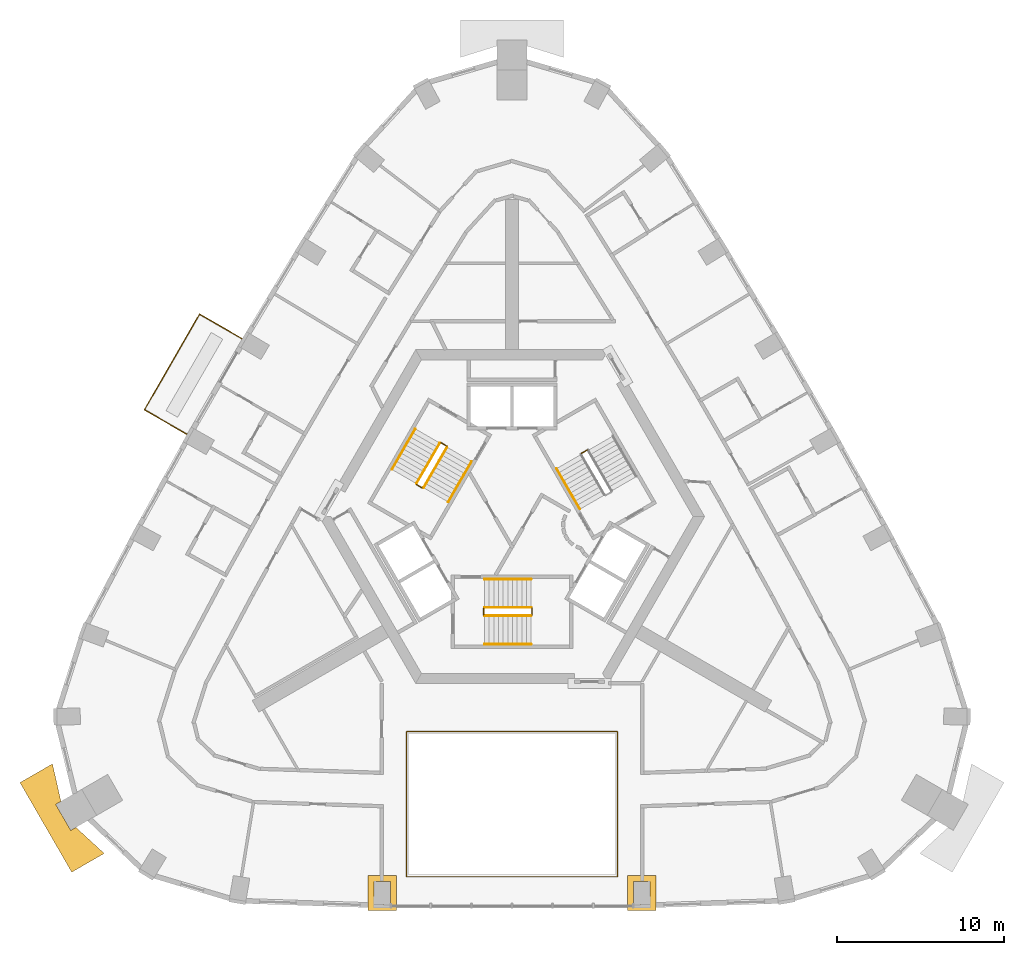
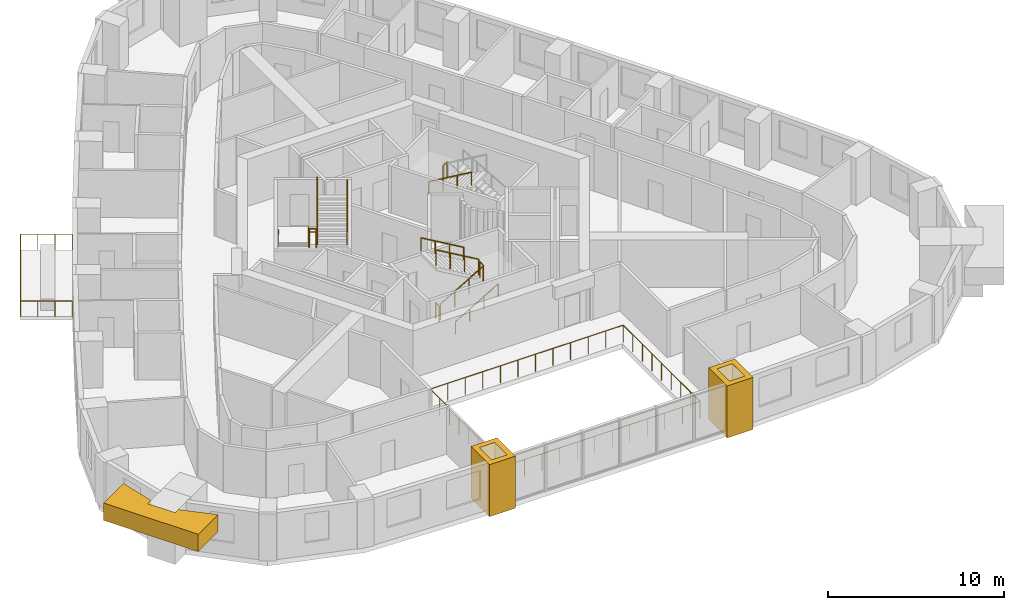
# One storey, part 11 of 13: 16 railings, 3 coverings.
"""IFC4 building model written with IfcOpenShell, lengths in metres."""

from ifc_helpers import new_model, si_unit, direction, frame, origin, origin_2d, place, context, subcontext, project, spatial, polyline, circle, outline, extrude, material, type_object, element, save


model = new_model("IFC4")

# Units and contexts
model_context = context("Model", 3, precision=1e-05, world=origin(), true_north=direction((0.0, 1.0)))
body_context = subcontext(model_context, "Body", "Model", "MODEL_VIEW")
ifc_project = project(units=[si_unit("LENGTHUNIT", "METRE"), si_unit("AREAUNIT", "SQUARE_METRE"), si_unit("VOLUMEUNIT", "CUBIC_METRE"), si_unit("PLANEANGLEUNIT", "RADIAN"), si_unit("MASSUNIT", "GRAM", prefix="KILO")], contexts=[model_context])

# Site, building, storey
site_placement = place(None, origin())
site = spatial("IfcSite", under=ifc_project, at=site_placement, CompositionType="ELEMENT")
building_placement = place(site_placement, origin())
building = spatial("IfcBuilding", under=site, at=building_placement, Name="Entoto Arch Interchange Tower", CompositionType="ELEMENT")
storey_placement = place(building_placement, frame((0.0, 0.0, 270.199951171875)))
storey = spatial("IfcBuildingStorey", under=building, at=storey_placement, Name="L62", CompositionType="ELEMENT", Elevation=270.199951171875)

# Railings
ifc_material_1 = material(Name="Stainless steel 1.4301", Category="steel")
railing_type_1 = type_object("IfcRailingType", Name="ATRIUM GUARD 1200 STEEL AND GLASS", PredefinedType="GUARDRAIL", material=ifc_material_1)
railing_1_placement = place(storey_placement, frame((6.320068359375, -19.089111328125, 0.0)))
element("IfcRailing", 1, at=railing_1_placement, inside=storey, type_object=railing_type_1, Name="Atrium guard L62", PredefinedType="GUARDRAIL", context=body_context, shape_type="SweptSolid", body=[
    extrude(circle(Radius=0.02392578125, at=origin_2d()), frame((0.0, 0.0, 1.17578125), z_axis=(-1.0, 0.0, 0.0), x_axis=(0.0, -1.0, 0.0)), (0.0, 0.0, 1.0), 12.64013671875),
    extrude(circle(Radius=0.02392578125, at=origin_2d()), frame((-12.64013671875, 0.0, 1.17578125), z_axis=(0.0, 1.0, 0.0), x_axis=(-1.0, 0.0, 0.0)), (0.0, 0.0, 1.0), 8.709228515625),
    extrude(circle(Radius=0.02392578125, at=origin_2d()), frame((-12.64013671875, 8.709228515625, 1.17578125), z_axis=(1.0, 0.0, 0.0), x_axis=(0.0, 1.0, 0.0)), (0.0, 0.0, 1.0), 12.64013671875),
    extrude(circle(Radius=0.02392578125, at=origin_2d()), frame((0.0, 8.709228515625, 1.17578125), z_axis=(0.0, -1.0, 0.0), x_axis=(1.0, 0.0, 0.0)), (0.0, 0.0, 1.0), 8.709228515625),
    extrude(circle(Radius=0.02099609375, at=origin_2d()), origin(), (0.0, 0.0, 1.0), 1.15185546875),
    extrude(circle(Radius=0.02099609375, at=origin_2d()), frame((-1.149169921875, 0.0, 0.0)), (0.0, 0.0, 1.0), 1.15185546875),
    extrude(circle(Radius=0.02099609375, at=origin_2d()), frame((-2.298095703125, 0.0, 0.0)), (0.0, 0.0, 1.0), 1.15185546875),
    extrude(circle(Radius=0.02099609375, at=origin_2d()), frame((-3.447265625, 0.0, 0.0)), (0.0, 0.0, 1.0), 1.15185546875),
    extrude(circle(Radius=0.02099609375, at=origin_2d()), frame((-4.596435546875, 0.0, 0.0)), (0.0, 0.0, 1.0), 1.15185546875),
    extrude(circle(Radius=0.02099609375, at=origin_2d()), frame((-5.74560546875, 0.0, 0.0)), (0.0, 0.0, 1.0), 1.15185546875),
    extrude(circle(Radius=0.02099609375, at=origin_2d()), frame((-6.89453125, 0.0, 0.0)), (0.0, 0.0, 1.0), 1.15185546875),
    extrude(circle(Radius=0.02099609375, at=origin_2d()), frame((-8.043701171875, 0.0, 0.0)), (0.0, 0.0, 1.0), 1.15185546875),
    extrude(circle(Radius=0.02099609375, at=origin_2d()), frame((-9.19287109375, 0.0, 0.0)), (0.0, 0.0, 1.0), 1.15185546875),
    extrude(circle(Radius=0.02099609375, at=origin_2d()), frame((-10.342041015625, 0.0, 0.0)), (0.0, 0.0, 1.0), 1.15185546875),
    extrude(circle(Radius=0.02099609375, at=origin_2d()), frame((-11.490966796875, 0.0, 0.0)), (0.0, 0.0, 1.0), 1.15185546875),
    extrude(circle(Radius=0.02099609375, at=origin_2d()), frame((-12.64013671875, 0.0, 0.0)), (0.0, 0.0, 1.0), 1.15185546875),
    extrude(circle(Radius=0.02099609375, at=origin_2d()), frame((-12.64013671875, 1.088623046875, 0.0)), (0.0, 0.0, 1.0), 1.15185546875),
    extrude(circle(Radius=0.02099609375, at=origin_2d()), frame((-12.64013671875, 2.17724609375, 0.0)), (0.0, 0.0, 1.0), 1.15185546875),
    extrude(circle(Radius=0.02099609375, at=origin_2d()), frame((-12.64013671875, 3.265869140625, 0.0)), (0.0, 0.0, 1.0), 1.15185546875),
    extrude(circle(Radius=0.02099609375, at=origin_2d()), frame((-12.64013671875, 4.3544921875, 0.0)), (0.0, 0.0, 1.0), 1.15185546875),
    extrude(circle(Radius=0.02099609375, at=origin_2d()), frame((-12.64013671875, 5.443359375, 0.0)), (0.0, 0.0, 1.0), 1.15185546875),
    extrude(circle(Radius=0.02099609375, at=origin_2d()), frame((-12.64013671875, 6.531982421875, 0.0)), (0.0, 0.0, 1.0), 1.15185546875),
    extrude(circle(Radius=0.02099609375, at=origin_2d()), frame((-12.64013671875, 7.62060546875, 0.0)), (0.0, 0.0, 1.0), 1.15185546875),
    extrude(circle(Radius=0.02099609375, at=origin_2d()), frame((-12.64013671875, 8.709228515625, 0.0)), (0.0, 0.0, 1.0), 1.15185546875),
    extrude(circle(Radius=0.02099609375, at=origin_2d()), frame((-11.490966796875, 8.709228515625, 0.0)), (0.0, 0.0, 1.0), 1.15185546875),
    extrude(circle(Radius=0.02099609375, at=origin_2d()), frame((-10.342041015625, 8.709228515625, 0.0)), (0.0, 0.0, 1.0), 1.15185546875),
    extrude(circle(Radius=0.02099609375, at=origin_2d()), frame((-9.19287109375, 8.709228515625, 0.0)), (0.0, 0.0, 1.0), 1.15185546875),
    extrude(circle(Radius=0.02099609375, at=origin_2d()), frame((-8.043701171875, 8.709228515625, 0.0)), (0.0, 0.0, 1.0), 1.15185546875),
    extrude(circle(Radius=0.02099609375, at=origin_2d()), frame((-6.89453125, 8.709228515625, 0.0)), (0.0, 0.0, 1.0), 1.15185546875),
    extrude(circle(Radius=0.02099609375, at=origin_2d()), frame((-5.74560546875, 8.709228515625, 0.0)), (0.0, 0.0, 1.0), 1.15185546875),
    extrude(circle(Radius=0.02099609375, at=origin_2d()), frame((-4.596435546875, 8.709228515625, 0.0)), (0.0, 0.0, 1.0), 1.15185546875),
    extrude(circle(Radius=0.02099609375, at=origin_2d()), frame((-3.447265625, 8.709228515625, 0.0)), (0.0, 0.0, 1.0), 1.15185546875),
    extrude(circle(Radius=0.02099609375, at=origin_2d()), frame((-2.298095703125, 8.709228515625, 0.0)), (0.0, 0.0, 1.0), 1.15185546875),
    extrude(circle(Radius=0.02099609375, at=origin_2d()), frame((-1.149169921875, 8.709228515625, 0.0)), (0.0, 0.0, 1.0), 1.15185546875),
    extrude(circle(Radius=0.02099609375, at=origin_2d()), frame((0.0, 8.709228515625, 0.0)), (0.0, 0.0, 1.0), 1.15185546875),
    extrude(circle(Radius=0.02099609375, at=origin_2d()), frame((0.0, 7.62060546875, 0.0)), (0.0, 0.0, 1.0), 1.15185546875),
    extrude(circle(Radius=0.02099609375, at=origin_2d()), frame((0.0, 6.531982421875, 0.0)), (0.0, 0.0, 1.0), 1.15185546875),
    extrude(circle(Radius=0.02099609375, at=origin_2d()), frame((0.0, 5.443359375, 0.0)), (0.0, 0.0, 1.0), 1.15185546875),
    extrude(circle(Radius=0.02099609375, at=origin_2d()), frame((0.0, 4.3544921875, 0.0)), (0.0, 0.0, 1.0), 1.15185546875),
    extrude(circle(Radius=0.02099609375, at=origin_2d()), frame((0.0, 3.265869140625, 0.0)), (0.0, 0.0, 1.0), 1.15185546875),
    extrude(circle(Radius=0.02099609375, at=origin_2d()), frame((0.0, 2.17724609375, 0.0)), (0.0, 0.0, 1.0), 1.15185546875),
    extrude(circle(Radius=0.02099609375, at=origin_2d()), frame((0.0, 1.088623046875, 0.0)), (0.0, 0.0, 1.0), 1.15185546875),
])
railing_type_2 = type_object("IfcRailingType", Name="GUARD 1100 STEEL AND GLASS", PredefinedType="GUARDRAIL", material=ifc_material_1)
railing_2_placement = place(storey_placement, frame((-16.174072265625, 13.155029296875, 0.0)))
element("IfcRailing", 2, at=railing_2_placement, inside=storey, type_object=railing_type_2, Name="Balcony guard NW-03 L62", PredefinedType="GUARDRAIL", context=body_context, shape_type="SweptSolid", body=[
    extrude(circle(Radius=0.02392578125, at=origin_2d()), frame((0.0, 0.0, 1.076171875), z_axis=(-0.866060182126, 0.499939757307, 0.0), x_axis=(-0.499939757307, -0.866060182126, 0.0)), (0.0, 0.0, 1.0), 2.949951171875),
    extrude(circle(Radius=0.02392578125, at=origin_2d()), frame((-2.554931640625, 1.474853515625, 1.076171875), z_axis=(-0.500011192237, -0.866018941847, 0.0), x_axis=(0.866018941847, -0.500011192237, 0.0)), (0.0, 0.0, 1.0), 6.611572265625),
    extrude(circle(Radius=0.02392578125, at=origin_2d()), frame((-5.86083984375, -4.2509765625, 1.076171875), z_axis=(0.866024349092, -0.500001826776, 0.0), x_axis=(0.500001826776, 0.866024349092, 0.0)), (0.0, 0.0, 1.0), 2.9501953125),
    extrude(circle(Radius=0.02099609375, at=origin_2d()), origin(), (0.0, 0.0, 1.0), 1.052001953125),
    extrude(circle(Radius=0.02099609375, at=origin_2d()), frame((-0.8515625, 0.49169921875, 0.0)), (0.0, 0.0, 1.0), 1.052001953125),
    extrude(circle(Radius=0.02099609375, at=origin_2d()), frame((-1.703369140625, 0.983154296875, 0.0)), (0.0, 0.0, 1.0), 1.052001953125),
    extrude(circle(Radius=0.02099609375, at=origin_2d()), frame((-2.554931640625, 1.474853515625, 0.0)), (0.0, 0.0, 1.0), 1.052001953125),
    extrude(circle(Radius=0.02099609375, at=origin_2d()), frame((-3.10595703125, 0.5205078125, 0.0)), (0.0, 0.0, 1.0), 1.052001953125),
    extrude(circle(Radius=0.02099609375, at=origin_2d()), frame((-3.656982421875, -0.433837890625, 0.0)), (0.0, 0.0, 1.0), 1.052001953125),
    extrude(circle(Radius=0.02099609375, at=origin_2d()), frame((-4.2080078125, -1.38818359375, 0.0)), (0.0, 0.0, 1.0), 1.052001953125),
    extrude(circle(Radius=0.02099609375, at=origin_2d()), frame((-4.7587890625, -2.34228515625, 0.0)), (0.0, 0.0, 1.0), 1.052001953125),
    extrude(circle(Radius=0.02099609375, at=origin_2d()), frame((-5.309814453125, -3.296630859375, 0.0)), (0.0, 0.0, 1.0), 1.052001953125),
    extrude(circle(Radius=0.02099609375, at=origin_2d()), frame((-5.86083984375, -4.2509765625, 0.0)), (0.0, 0.0, 1.0), 1.052001953125),
    extrude(circle(Radius=0.02099609375, at=origin_2d()), frame((-5.00927734375, -4.74267578125, 0.0)), (0.0, 0.0, 1.0), 1.052001953125),
    extrude(circle(Radius=0.02099609375, at=origin_2d()), frame((-4.157470703125, -5.234375, 0.0)), (0.0, 0.0, 1.0), 1.052001953125),
    extrude(circle(Radius=0.02099609375, at=origin_2d()), frame((-3.305908203125, -5.72607421875, 0.0)), (0.0, 0.0, 1.0), 1.052001953125),
])

# Coverings
ifc_material_2 = material(Name="Board-marked precast concrete C50/60", Category="concrete")
covering_type = type_object("IfcCoveringType", Name="PRECAST FRAME COURSE", PredefinedType="CLADDING", material=ifc_material_2)
covering_1_placement = place(storey_placement, frame((0.0, 0.0, 2.06005859375)))
element("IfcCovering", 3, at=covering_1_placement, inside=storey, type_object=covering_type, Name="Corner pilaster head SW L60-L62", PredefinedType="CLADDING", context=body_context, shape_type="SweptSolid", body=[
    extrude(outline(polyline([(-26.39404296875, -18.819091796875), (-29.493896484375, -13.448974609375), (-27.547119140625, -12.324951171875), (-27.0419921875, -14.573974609375), (-27.35400390625, -14.7548828125), (-26.4541015625, -16.31298828125), (-26.14208984375, -16.133056640625), (-24.447021484375, -17.695068359375), (-26.39404296875, -18.819091796875)])), origin(), (0.0, 0.0, 1.0), 1.199951171875),
])
covering_2_placement = place(storey_placement, frame((0.0, 0.0, -0.33984375)))
element("IfcCovering", 4, at=covering_2_placement, inside=storey, type_object=covering_type, Name="Gate pier L62", PredefinedType="CLADDING", context=body_context, shape_type="SweptSolid", body=[
    extrude(outline(polyline([(-8.634033203125, -19.01904296875), (-6.93408203125, -19.01904296875), (-6.93408203125, -21.118896484375), (-8.634033203125, -21.118896484375), (-8.634033203125, -19.01904296875)]), holes=[polyline([(-8.283935546875, -19.368896484375), (-8.283935546875, -20.76904296875), (-7.283935546875, -20.76904296875), (-7.283935546875, -19.368896484375), (-8.283935546875, -19.368896484375)])]), origin(), (0.0, 0.0, 1.0), 3.599853515625),
])
covering_3_placement = place(storey_placement, frame((0.0, 0.0, -0.33984375)))
element("IfcCovering", 5, at=covering_3_placement, inside=storey, type_object=covering_type, Name="Gate pier L62", PredefinedType="CLADDING", context=body_context, shape_type="SweptSolid", body=[
    extrude(outline(polyline([(6.93408203125, -19.01904296875), (8.634033203125, -19.01904296875), (8.634033203125, -21.118896484375), (6.93408203125, -21.118896484375), (6.93408203125, -19.01904296875)]), holes=[polyline([(7.283935546875, -19.368896484375), (7.283935546875, -20.76904296875), (8.283935546875, -20.76904296875), (8.283935546875, -19.368896484375), (7.283935546875, -19.368896484375)])]), origin(), (0.0, 0.0, 1.0), 3.599853515625),
])

# Railings
railing_type_3 = type_object("IfcRailingType", Name="STAIR GUARD 1100 STEEL", PredefinedType="GUARDRAIL", material=ifc_material_1)
railing_3_placement = place(storey_placement, frame((-1.64990234375, -3.449951171875, 0.16357421875)))
element("IfcRailing", 6, at=railing_3_placement, inside=storey, type_object=railing_type_3, Name="L62 ST-S stair guard 1", PredefinedType="GUARDRAIL", context=body_context, shape_type="SweptSolid", body=[
    extrude(circle(Radius=0.02392578125, at=origin_2d()), frame((0.0, 0.0, 1.076171875), z_axis=(0.863341702679, 0.0, 0.504619762213), x_axis=(0.0, 1.0, 0.0)), (0.0, 0.0, 1.0), 3.242919921875),
    extrude(circle(Radius=0.02099609375, at=origin_2d()), origin(), (0.0, 0.0, 1.0), 1.052001953125),
    extrude(circle(Radius=0.02099609375, at=origin_2d()), frame((0.933349609375, 0.0, 0.54541015625)), (0.0, 0.0, 1.0), 1.052001953125),
    extrude(circle(Radius=0.02099609375, at=origin_2d()), frame((1.866455078125, 0.0, 1.091064453125)), (0.0, 0.0, 1.0), 1.052001953125),
    extrude(circle(Radius=0.02099609375, at=origin_2d()), frame((2.7998046875, 0.0, 1.636474609375)), (0.0, 0.0, 1.0), 1.052001953125),
])
railing_4_placement = place(storey_placement, frame((1.199951171875, -3.39990234375, 1.800048828125)))
element("IfcRailing", 7, at=railing_4_placement, inside=storey, type_object=railing_type_3, Name="L62 ST-S stair guard 2", PredefinedType="GUARDRAIL", context=body_context, shape_type="SweptSolid", body=[
    extrude(circle(Radius=0.02392578125, at=origin_2d()), frame((0.0, 0.0, 1.076171875), z_axis=(0.0, 1.0, 0.0), x_axis=(-1.0, 0.0, 0.0)), (0.0, 0.0, 1.0), 0.39990234375),
    extrude(circle(Radius=0.02099609375, at=origin_2d()), origin(), (0.0, 0.0, 1.0), 1.052001953125),
    extrude(circle(Radius=0.02099609375, at=origin_2d()), frame((0.0, 0.39990234375, 0.0)), (0.0, 0.0, 1.0), 1.052001953125),
])
railing_5_placement = place(storey_placement, frame((1.14990234375, -2.949951171875, 1.963623046875)))
element("IfcRailing", 8, at=railing_5_placement, inside=storey, type_object=railing_type_3, Name="L62 ST-S stair guard 3", PredefinedType="GUARDRAIL", context=body_context, shape_type="SweptSolid", body=[
    extrude(circle(Radius=0.02392578125, at=origin_2d()), frame((0.0, 0.0, 1.076171875), z_axis=(-0.863341702679, 0.0, 0.504619762213), x_axis=(0.0, -1.0, 0.0)), (0.0, 0.0, 1.0), 3.242919921875),
    extrude(circle(Radius=0.02099609375, at=origin_2d()), origin(), (0.0, 0.0, 1.0), 1.052001953125),
    extrude(circle(Radius=0.02099609375, at=origin_2d()), frame((-0.933349609375, 0.0, 0.54541015625)), (0.0, 0.0, 1.0), 1.052001953125),
    extrude(circle(Radius=0.02099609375, at=origin_2d()), frame((-1.866455078125, 0.0, 1.091064453125)), (0.0, 0.0, 1.0), 1.052001953125),
    extrude(circle(Radius=0.02099609375, at=origin_2d()), frame((-2.7998046875, 0.0, 1.636474609375)), (0.0, 0.0, 1.0), 1.052001953125),
])
railing_6_placement = place(storey_placement, frame((-1.699951171875, -3.39990234375, 0.0)))
element("IfcRailing", 9, at=railing_6_placement, inside=storey, type_object=railing_type_3, Name="L62 ST-S stair guard 4", PredefinedType="GUARDRAIL", context=body_context, shape_type="SweptSolid", body=[
    extrude(circle(Radius=0.02392578125, at=origin_2d()), frame((0.0, 0.0, 1.076171875), z_axis=(0.0, 1.0, 0.0), x_axis=(-1.0, 0.0, 0.0)), (0.0, 0.0, 1.0), 0.39990234375),
    extrude(circle(Radius=0.02099609375, at=origin_2d()), origin(), (0.0, 0.0, 1.0), 1.052001953125),
    extrude(circle(Radius=0.02099609375, at=origin_2d()), frame((0.0, 0.39990234375, 0.0)), (0.0, 0.0, 1.0), 1.052001953125),
])
railing_7_placement = place(storey_placement, frame((4.509521484375, 6.4892578125, 1.800048828125)))
element("IfcRailing", 10, at=railing_7_placement, inside=storey, type_object=railing_type_3, Name="L62 ST-NE stair guard 2", PredefinedType="GUARDRAIL", context=body_context, shape_type="SweptSolid", body=[
    extrude(circle(Radius=0.02392578125, at=origin_2d()), frame((0.0, 0.0, 1.076171875), z_axis=(-0.866094119867, -0.499880961361, 0.0), x_axis=(0.499880961361, -0.866094119867, 0.0)), (0.0, 0.0, 1.0), 0.39990234375),
    extrude(circle(Radius=0.02099609375, at=origin_2d()), origin(), (0.0, 0.0, 1.0), 1.052001953125),
    extrude(circle(Radius=0.02099609375, at=origin_2d()), frame((-0.346435546875, -0.199951171875, 0.0)), (0.0, 0.0, 1.0), 1.052001953125),
])
railing_8_placement = place(storey_placement, frame((-4.327880859375, 6.904052734375, 0.16357421875)))
element("IfcRailing", 11, at=railing_8_placement, inside=storey, type_object=railing_type_3, Name="L62 ST-NW stair guard 1", PredefinedType="GUARDRAIL", context=body_context, shape_type="SweptSolid", body=[
    extrude(circle(Radius=0.02392578125, at=origin_2d()), frame((0.0, 0.0, 1.076171875), z_axis=(-0.431636334334, -0.747723004699, 0.504579412111), x_axis=(0.866056369097, -0.49994636267, 0.0)), (0.0, 0.0, 1.0), 3.2431640625),
    extrude(circle(Radius=0.02099609375, at=origin_2d()), origin(), (0.0, 0.0, 1.0), 1.052001953125),
    extrude(circle(Radius=0.02099609375, at=origin_2d()), frame((-0.466552734375, -0.808349609375, 0.54541015625)), (0.0, 0.0, 1.0), 1.052001953125),
    extrude(circle(Radius=0.02099609375, at=origin_2d()), frame((-0.933349609375, -1.61669921875, 1.091064453125)), (0.0, 0.0, 1.0), 1.052001953125),
    extrude(circle(Radius=0.02099609375, at=origin_2d()), frame((-1.39990234375, -2.425048828125, 1.636474609375)), (0.0, 0.0, 1.0), 1.052001953125),
])
railing_9_placement = place(storey_placement, frame((-5.70947265625, 4.410888671875, 1.800048828125)))
element("IfcRailing", 12, at=railing_9_placement, inside=storey, type_object=railing_type_3, Name="L62 ST-NW stair guard 2", PredefinedType="GUARDRAIL", context=body_context, shape_type="SweptSolid", body=[
    extrude(circle(Radius=0.02392578125, at=origin_2d()), frame((0.0, 0.0, 1.076171875), z_axis=(0.865829829939, -0.500338590944, 0.0), x_axis=(0.500338590944, 0.865829829939, 0.0)), (0.0, 0.0, 1.0), 0.400146484375),
    extrude(circle(Radius=0.02099609375, at=origin_2d()), origin(), (0.0, 0.0, 1.0), 1.052001953125),
    extrude(circle(Radius=0.02099609375, at=origin_2d()), frame((0.346435546875, -0.2001953125, 0.0)), (0.0, 0.0, 1.0), 1.052001953125),
])
railing_10_placement = place(storey_placement, frame((-5.294921875, 4.22900390625, 1.963623046875)))
element("IfcRailing", 13, at=railing_10_placement, inside=storey, type_object=railing_type_3, Name="L62 ST-NW stair guard 3", PredefinedType="GUARDRAIL", context=body_context, shape_type="SweptSolid", body=[
    extrude(circle(Radius=0.02392578125, at=origin_2d()), frame((0.0, 0.0, 1.076171875), z_axis=(0.431697583215, 0.747698708645, 0.504563016616), x_axis=(-0.866018616679, 0.500011755427, 0.0)), (0.0, 0.0, 1.0), 3.243408203125),
    extrude(circle(Radius=0.02099609375, at=origin_2d()), origin(), (0.0, 0.0, 1.0), 1.052001953125),
    extrude(circle(Radius=0.02099609375, at=origin_2d()), frame((0.466796875, 0.808349609375, 0.54541015625)), (0.0, 0.0, 1.0), 1.052001953125),
    extrude(circle(Radius=0.02099609375, at=origin_2d()), frame((0.933349609375, 1.61669921875, 1.091064453125)), (0.0, 0.0, 1.0), 1.052001953125),
    extrude(circle(Radius=0.02099609375, at=origin_2d()), frame((1.400146484375, 2.425048828125, 1.636474609375)), (0.0, 0.0, 1.0), 1.052001953125),
])
railing_11_placement = place(storey_placement, frame((-4.259521484375, 6.92236328125, 0.0)))
element("IfcRailing", 14, at=railing_11_placement, inside=storey, type_object=railing_type_3, Name="L62 ST-NW stair guard 4", PredefinedType="GUARDRAIL", context=body_context, shape_type="SweptSolid", body=[
    extrude(circle(Radius=0.02392578125, at=origin_2d()), frame((0.0, 0.0, 1.076171875), z_axis=(0.865829829939, -0.500338590944, 0.0), x_axis=(0.500338590944, 0.865829829939, 0.0)), (0.0, 0.0, 1.0), 0.400146484375),
    extrude(circle(Radius=0.02099609375, at=origin_2d()), origin(), (0.0, 0.0, 1.0), 1.052001953125),
    extrude(circle(Radius=0.02099609375, at=origin_2d()), frame((0.346435546875, -0.2001953125, 0.0)), (0.0, 0.0, 1.0), 1.052001953125),
])
railing_type_4 = type_object("IfcRailingType", Name="STAIR HANDRAIL 900 STEEL", PredefinedType="HANDRAIL", material=ifc_material_1)
railing_12_placement = place(storey_placement, frame((-1.64990234375, -5.14990234375, 0.16357421875)))
element("IfcRailing", 15, at=railing_12_placement, inside=storey, type_object=railing_type_4, Name="L62 ST-S stair handrail 1", PredefinedType="HANDRAIL", context=body_context, shape_type="SweptSolid", body=[
    extrude(circle(Radius=0.02392578125, at=origin_2d()), frame((0.0, 0.0, 0.8759765625), z_axis=(0.863341702679, 0.0, 0.504619762213), x_axis=(0.0, 1.0, 0.0)), (0.0, 0.0, 1.0), 3.242919921875),
    extrude(circle(Radius=0.02099609375, at=origin_2d()), origin(), (0.0, 0.0, 1.0), 0.851806640625),
    extrude(circle(Radius=0.02099609375, at=origin_2d()), frame((0.933349609375, 0.0, 0.54541015625)), (0.0, 0.0, 1.0), 0.851806640625),
    extrude(circle(Radius=0.02099609375, at=origin_2d()), frame((1.866455078125, 0.0, 1.091064453125)), (0.0, 0.0, 1.0), 0.851806640625),
    extrude(circle(Radius=0.02099609375, at=origin_2d()), frame((2.7998046875, 0.0, 1.636474609375)), (0.0, 0.0, 1.0), 0.851806640625),
])
railing_13_placement = place(storey_placement, frame((1.14990234375, -1.25, 1.963623046875)))
element("IfcRailing", 16, at=railing_13_placement, inside=storey, type_object=railing_type_4, Name="L62 ST-S stair handrail 2", PredefinedType="HANDRAIL", context=body_context, shape_type="SweptSolid", body=[
    extrude(circle(Radius=0.02392578125, at=origin_2d()), frame((0.0, 0.0, 0.8759765625), z_axis=(-0.863341702679, 0.0, 0.504619762213), x_axis=(0.0, -1.0, 0.0)), (0.0, 0.0, 1.0), 3.242919921875),
    extrude(circle(Radius=0.02099609375, at=origin_2d()), origin(), (0.0, 0.0, 1.0), 0.851806640625),
    extrude(circle(Radius=0.02099609375, at=origin_2d()), frame((-0.933349609375, 0.0, 0.54541015625)), (0.0, 0.0, 1.0), 0.851806640625),
    extrude(circle(Radius=0.02099609375, at=origin_2d()), frame((-1.866455078125, 0.0, 1.091064453125)), (0.0, 0.0, 1.0), 0.851806640625),
    extrude(circle(Radius=0.02099609375, at=origin_2d()), frame((-2.7998046875, 0.0, 1.636474609375)), (0.0, 0.0, 1.0), 0.851806640625),
])
railing_14_placement = place(storey_placement, frame((2.672607421875, 5.370849609375, 1.963623046875)))
element("IfcRailing", 17, at=railing_14_placement, inside=storey, type_object=railing_type_4, Name="L62 ST-NE stair handrail 2", PredefinedType="HANDRAIL", context=body_context, shape_type="SweptSolid", body=[
    extrude(circle(Radius=0.02392578125, at=origin_2d()), frame((0.0, 0.0, 0.8759765625), z_axis=(0.431660630283, -0.747689811644, 0.504607813879), x_axis=(0.866034573852, 0.49998411664, 0.0)), (0.0, 0.0, 1.0), 3.2431640625),
    extrude(circle(Radius=0.02099609375, at=origin_2d()), origin(), (0.0, 0.0, 1.0), 0.851806640625),
    extrude(circle(Radius=0.02099609375, at=origin_2d()), frame((0.466552734375, -0.808349609375, 0.54541015625)), (0.0, 0.0, 1.0), 0.851806640625),
    extrude(circle(Radius=0.02099609375, at=origin_2d()), frame((0.933349609375, -1.616455078125, 1.091064453125)), (0.0, 0.0, 1.0), 0.851806640625),
    extrude(circle(Radius=0.02099609375, at=origin_2d()), frame((1.39990234375, -2.4248046875, 1.636474609375)), (0.0, 0.0, 1.0), 0.851806640625),
])
railing_15_placement = place(storey_placement, frame((-5.800048828125, 7.75390625, 0.16357421875)))
element("IfcRailing", 18, at=railing_15_placement, inside=storey, type_object=railing_type_4, Name="L62 ST-NW stair handrail 1", PredefinedType="HANDRAIL", context=body_context, shape_type="SweptSolid", body=[
    extrude(circle(Radius=0.02392578125, at=origin_2d()), frame((0.0, 0.0, 0.8759765625), z_axis=(-0.431721881032, -0.747665513933, 0.504591415616), x_axis=(0.865996816683, -0.500049511043, 0.0)), (0.0, 0.0, 1.0), 3.2431640625),
    extrude(circle(Radius=0.02099609375, at=origin_2d()), origin(), (0.0, 0.0, 1.0), 0.851806640625),
    extrude(circle(Radius=0.02099609375, at=origin_2d()), frame((-0.466796875, -0.808349609375, 0.54541015625)), (0.0, 0.0, 1.0), 0.851806640625),
    extrude(circle(Radius=0.02099609375, at=origin_2d()), frame((-0.933349609375, -1.616455078125, 1.091064453125)), (0.0, 0.0, 1.0), 0.851806640625),
    extrude(circle(Radius=0.02099609375, at=origin_2d()), frame((-1.400146484375, -2.4248046875, 1.636474609375)), (0.0, 0.0, 1.0), 0.851806640625),
])
railing_16_placement = place(storey_placement, frame((-3.822509765625, 3.379150390625, 1.963623046875)))
element("IfcRailing", 19, at=railing_16_placement, inside=storey, type_object=railing_type_4, Name="L62 ST-NW stair handrail 2", PredefinedType="HANDRAIL", context=body_context, shape_type="SweptSolid", body=[
    extrude(circle(Radius=0.02392578125, at=origin_2d()), frame((0.0, 0.0, 0.8759765625), z_axis=(0.431660630283, 0.747689811644, 0.504607813879), x_axis=(-0.866034573852, 0.49998411664, 0.0)), (0.0, 0.0, 1.0), 3.2431640625),
    extrude(circle(Radius=0.02099609375, at=origin_2d()), origin(), (0.0, 0.0, 1.0), 0.851806640625),
    extrude(circle(Radius=0.02099609375, at=origin_2d()), frame((0.466552734375, 0.808349609375, 0.54541015625)), (0.0, 0.0, 1.0), 0.851806640625),
    extrude(circle(Radius=0.02099609375, at=origin_2d()), frame((0.933349609375, 1.616455078125, 1.091064453125)), (0.0, 0.0, 1.0), 0.851806640625),
    extrude(circle(Radius=0.02099609375, at=origin_2d()), frame((1.39990234375, 2.4248046875, 1.636474609375)), (0.0, 0.0, 1.0), 0.851806640625),
])

save(model, "model.ifc")
